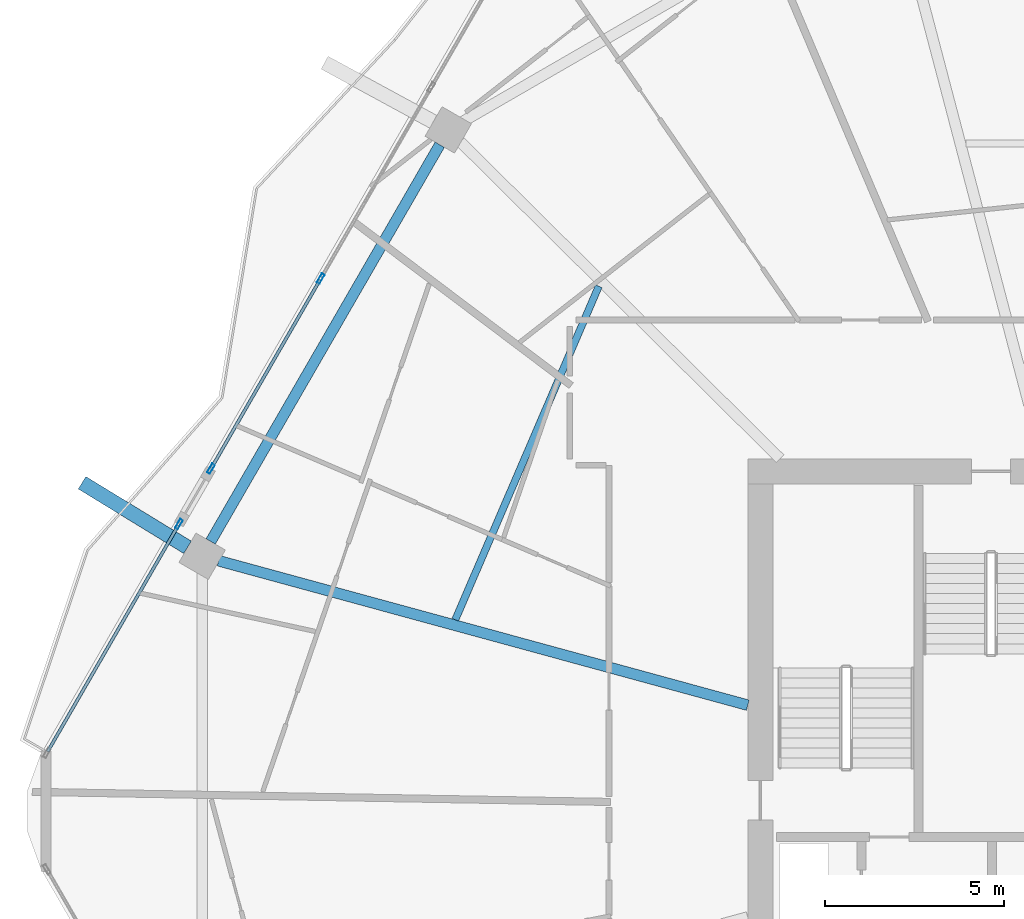
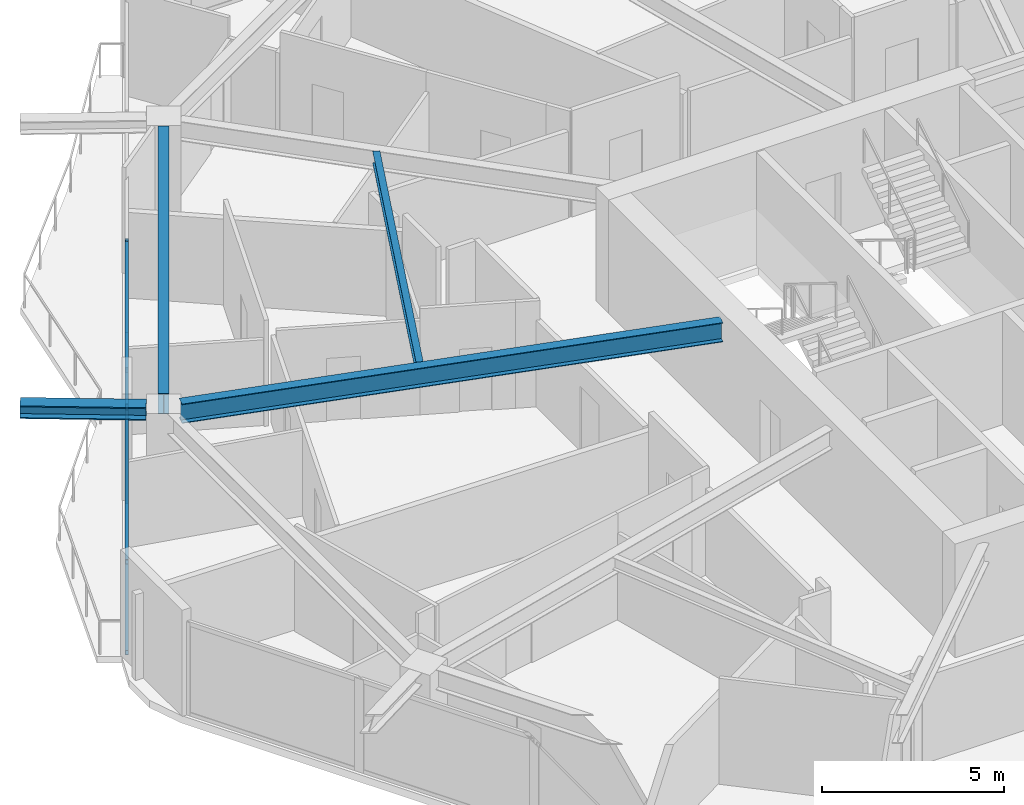
# One storey, part 10 of 26: 7 members, 4 beams, 2 elements without a shape of their own.
"""IFC4 building model written with IfcOpenShell, lengths in metres."""

import ifcopenshell
import ifcopenshell.guid

model = None  # the IFC model being written
_history = None  # IfcOwnerHistory: only IFC2X3 demands one
_inside = {}  # id of a spatial element -> (the spatial element, [elements in it])
_under = {}  # id of a project, library or spatial element -> (it, [spatial elements below it])
_declared = {}  # id of a project -> (the project, [libraries it declares])
_typed = {}  # id of a type object -> (the type object, [elements of that type])
_made_of = {}  # id of a material, layer set ... -> (it, [elements and type objects made of it])


def new_model(schema):
    """Start an empty IFC model of exactly this schema.

    Asked for "IFC4X3", IfcOpenShell would pick the latest addendum, in which some entities
    have other attributes; the version numbers below select the first issue.
    IFC2X3 requires an IfcOwnerHistory on every rooted entity: one is made here for all.
    """
    global model, _history
    if schema == "IFC4X3":
        model = ifcopenshell.file(schema_version=(4, 3, 0, 0))
    else:
        model = ifcopenshell.file(schema=schema)
    _inside.clear()
    _under.clear()
    _declared.clear()
    _typed.clear()
    _made_of.clear()
    _history = None
    if model.schema == "IFC2X3":
        org = make("IfcOrganization", Name="unknown")
        user = make(
            "IfcPersonAndOrganization",
            ThePerson=make("IfcPerson", FamilyName="unknown"),
            TheOrganization=org,
        )
        app = make(
            "IfcApplication",
            ApplicationDeveloper=org,
            Version="unknown",
            ApplicationFullName="unknown",
            ApplicationIdentifier="unknown",
        )
        _history = make(
            "IfcOwnerHistory",
            OwningUser=user,
            OwningApplication=app,
            ChangeAction="ADDED",
            CreationDate=0,
        )
    return model


def make(cls, **values):
    """One entity of the class cls with the attributes given. An attribute that is None is left unset."""
    return model.create_entity(
        cls, **{name: value for name, value in values.items() if value is not None}
    )


def rooted(cls, **values):
    """An entity with a GlobalId (a new one), such as an element, a storey or a relation."""
    return make(cls, GlobalId=ifcopenshell.guid.new(), OwnerHistory=_history, **values)


def si_unit(unit_type, name, prefix=None):
    """IfcSIUnit, for example si_unit("LENGTHUNIT", "METRE", prefix="MILLI")."""
    return make("IfcSIUnit", UnitType=unit_type, Prefix=prefix, Name=name)


def assignment(units):
    """IfcUnitAssignment: the units of a project."""
    return None if units is None else make("IfcUnitAssignment", Units=units)


def point(xyz):
    """IfcCartesianPoint."""
    return None if xyz is None else make("IfcCartesianPoint", Coordinates=xyz)


def direction(xyz):
    """IfcDirection."""
    return None if xyz is None else make("IfcDirection", DirectionRatios=xyz)


def frame(location, z_axis=None, x_axis=None):
    """IfcAxis2Placement3D, a coordinate frame: its origin and axes. An axis left out is left unset."""
    return make(
        "IfcAxis2Placement3D",
        Location=point(location),
        Axis=direction(z_axis),
        RefDirection=direction(x_axis),
    )


def frame_2d(location, x_axis=None):
    """IfcAxis2Placement2D, a coordinate frame in the plane: its origin and x axis."""
    return make(
        "IfcAxis2Placement2D", Location=point(location), RefDirection=direction(x_axis)
    )


def origin():
    """The frame at (0, 0, 0) with its axes left unset."""
    return frame((0.0, 0.0, 0.0))


def origin_2d():
    """The frame at (0, 0) in the plane with its x axis left unset."""
    return frame_2d((0.0, 0.0))


def place(relative_to, where):
    """IfcLocalPlacement: puts the frame where relative to a parent placement (None: the world)."""
    return make(
        "IfcLocalPlacement", PlacementRelTo=relative_to, RelativePlacement=where
    )


def context(
    kind, dimensions, precision=None, world=None, true_north=None, identifier=None
):
    """IfcGeometricRepresentationContext, for example the 3D "Model" context."""
    return make(
        "IfcGeometricRepresentationContext",
        ContextIdentifier=identifier,
        ContextType=kind,
        CoordinateSpaceDimension=dimensions,
        Precision=precision,
        WorldCoordinateSystem=world,
        TrueNorth=true_north,
    )


def subcontext(parent, identifier, kind, view, scale=None):
    """IfcGeometricRepresentationSubContext, for example "Body" below "Model"."""
    return make(
        "IfcGeometricRepresentationSubContext",
        ContextIdentifier=identifier,
        ContextType=kind,
        ParentContext=parent,
        TargetScale=scale,
        TargetView=view,
    )


def project(units=None, contexts=None):
    """IfcProject with its units and contexts."""
    return rooted(
        "IfcProject",
        Name="project",
        RepresentationContexts=contexts,
        UnitsInContext=assignment(units),
    )


def spatial(cls, under=None, at=None, **own):
    """A site, building, storey or space (cls), placed at a placement, below another one or the project."""
    s = rooted(cls, ObjectPlacement=at, **own)
    if under is not None:
        _under.setdefault(under.id(), (under, []))[1].append(s)
    return s


def profile(cls, at=None, kind="AREA", **sizes):
    """A parametric profile (cls). Its sizes go by their IFC names, for example OverallWidth=200.0."""
    return make(cls, ProfileType=kind, Position=at, **sizes)


def hollow_rectangle(**sizes):
    """IfcRectangleHollowProfileDef."""
    return profile("IfcRectangleHollowProfileDef", **sizes)


def i_section(**sizes):
    """IfcIShapeProfileDef."""
    return profile("IfcIShapeProfileDef", **sizes)


def extrude(swept, where, along, depth):
    """IfcExtrudedAreaSolid: the profile swept, set in the frame where, extruded along a direction by depth."""
    return make(
        "IfcExtrudedAreaSolid",
        SweptArea=swept,
        Position=where,
        ExtrudedDirection=direction(along),
        Depth=depth,
    )


def shape(context_of_items, identifier, shape_type, items):
    """IfcShapeRepresentation: the items that make up one representation, for example the "Body"."""
    return make(
        "IfcShapeRepresentation",
        ContextOfItems=context_of_items,
        RepresentationIdentifier=identifier,
        RepresentationType=shape_type,
        Items=items,
    )


def material(Name=None, Category=None):
    """IfcMaterial."""
    return make("IfcMaterial", Name=Name, Category=Category)


def material_profile(
    of_material, cross_section, Name=None, Category=None, Priority=None
):
    """IfcMaterialProfile: a cross section and its material."""
    return make(
        "IfcMaterialProfile",
        Name=Name,
        Material=of_material,
        Profile=cross_section,
        Priority=Priority,
        Category=Category,
    )


def profile_set(profiles, Name=None, composite=None):
    """IfcMaterialProfileSet."""
    return make(
        "IfcMaterialProfileSet",
        Name=Name,
        MaterialProfiles=profiles,
        CompositeProfile=composite,
    )


def made_of(thing, what):
    """Note that an element or type object is made of a material, layer set ...; save() writes the relation."""
    if what is not None:
        _made_of.setdefault(what.id(), (what, []))[1].append(thing)
    return thing


def type_object(cls, material=None, **own):
    """A type object (cls), such as IfcWallType, which elements share."""
    return made_of(rooted(cls, **own), material)


def element(
    cls,
    number,
    at=None,
    inside=None,
    cuts=None,
    type_object=None,
    material=None,
    context=None,
    identifier="Body",
    shape_type=None,
    held_by="IfcProductDefinitionShape",
    body=None,
    shapes=None,
    **own,
):
    """One element of the class cls, such as IfcWall. Its Tag is "e" and its number.

    at: its placement. inside: the storey or other place that contains it. cuts: it is an
    opening in that element (IfcRelVoidsElement). A single representation is given by context,
    identifier, shape_type and body (its items); several are given by shapes. held_by: the class
    of the entity that holds the representations. save() writes the other relations.
    """
    e = rooted(cls, Tag="e%d" % number, ObjectPlacement=at, **own)
    if body is not None:
        shapes = [shape(context, identifier, shape_type, body)]
    if shapes is not None:
        e.Representation = make(held_by, Representations=shapes)
    if inside is not None:
        _inside.setdefault(inside.id(), (inside, []))[1].append(e)
    if cuts is not None:
        rooted(
            "IfcRelVoidsElement", RelatingBuildingElement=cuts, RelatedOpeningElement=e
        )
    if type_object is not None:
        _typed.setdefault(type_object.id(), (type_object, []))[1].append(e)
    return made_of(e, material)


def aggregate(whole, parts):
    """IfcRelAggregates: a whole, such as a stair, and the parts it consists of."""
    return rooted("IfcRelAggregates", RelatingObject=whole, RelatedObjects=parts)


def save(model, path):
    """Write the relations noted so far, then the file.

    IfcRelAggregates (storeys below a building ...), IfcRelContainedInSpatialStructure (elements
    in a storey), IfcRelDefinesByType, IfcRelAssociatesMaterial and IfcRelDeclares: one each for
    every whole, place, type object, material and project.
    """
    for whole, parts in _under.values():
        aggregate(whole, parts)
    for where, things in _inside.values():
        rooted(
            "IfcRelContainedInSpatialStructure",
            RelatedElements=things,
            RelatingStructure=where,
        )
    for kind, things in _typed.values():
        rooted("IfcRelDefinesByType", RelatedObjects=things, RelatingType=kind)
    for what, things in _made_of.values():
        rooted("IfcRelAssociatesMaterial", RelatedObjects=things, RelatingMaterial=what)
    for by, libraries in _declared.values():
        rooted("IfcRelDeclares", RelatingContext=by, RelatedDefinitions=libraries)
    model.write(path)


model = new_model("IFC4")

# Units and contexts
model_context = context("Model", 3, precision=1e-05, world=origin(), true_north=direction((0.0, 1.0)))
body_context = subcontext(model_context, "Body", "Model", "MODEL_VIEW")
ifc_project = project(units=[si_unit("LENGTHUNIT", "METRE"), si_unit("AREAUNIT", "SQUARE_METRE"), si_unit("VOLUMEUNIT", "CUBIC_METRE"), si_unit("PLANEANGLEUNIT", "RADIAN"), si_unit("MASSUNIT", "GRAM", prefix="KILO")], contexts=[model_context])

# Site, building, storey
site_placement = place(None, origin())
site = spatial("IfcSite", under=ifc_project, at=site_placement, CompositionType="ELEMENT")
building_placement = place(site_placement, origin())
building = spatial("IfcBuilding", under=site, at=building_placement, Name="Zuhravey Tower", CompositionType="ELEMENT")
storey_placement = place(building_placement, frame((0.0, 0.0, 211.199951171875)))
storey = spatial("IfcBuildingStorey", under=building, at=storey_placement, Name="L53", CompositionType="ELEMENT", Elevation=211.199951171875)

# Curtain wall, member
ifc_material_1 = material(Name="Thermally broken anodised aluminium", Category="aluminium")
curtain_wall_type = type_object("IfcCurtainWallType", Name="Zone 1-2 Residential Curtain Wall CW3", PredefinedType="NOTDEFINED", material=ifc_material_1)
curtain_wall_1_placement = place(storey_placement, origin())
curtain_wall_1 = element("IfcCurtainWall", 1, at=curtain_wall_1_placement, inside=storey, type_object=curtain_wall_type, Name="L53 CW3 CW-L53-F3-1", PredefinedType="NOTDEFINED")
ifc_material_2 = material(Name="Anodised aluminium", Category="aluminium")
ifc_material_profile_1 = material_profile(ifc_material_2, hollow_rectangle(XDim=0.090087890625, YDim=0.284912109375, WallThickness=0.0048828125, at=origin_2d()), Name="ALU-RHS-90x285x5")
ifc_profile_set_1 = profile_set([ifc_material_profile_1], Name="Anodised aluminium")
member_type_1 = type_object("IfcMemberType", Name="Curtain-Wall Mullion 90x180", PredefinedType="MULLION", material=ifc_profile_set_1)
member_1_placement = place(storey_placement, frame((9.244384765625, 40.024169921875, 0.0), z_axis=(0.0, 0.0, 1.0), x_axis=(-0.866022342618, 0.500005302059, 0.0)))
member_1 = element("IfcMember", 2, at=member_1_placement, type_object=member_type_1, Name="CW3 mullion 2", PredefinedType="MULLION", context=body_context, shape_type="SweptSolid", body=[
    extrude(hollow_rectangle(XDim=0.090087890625, YDim=0.284912109375, WallThickness=0.0048828125, at=origin_2d()), origin(), (0.0, 0.0, 1.0), 3.1220703125),
])

# Curtain wall, members
curtain_wall_2_placement = place(storey_placement, origin())
curtain_wall_2 = element("IfcCurtainWall", 3, at=curtain_wall_2_placement, inside=storey, type_object=curtain_wall_type, Name="L53 CW3 CW-L53-F3-2", PredefinedType="NOTDEFINED")
member_2_placement = place(storey_placement, frame((10.139404296875, 41.574462890625, 0.0), z_axis=(0.0, 0.0, 1.0), x_axis=(-0.866026823283, 0.499997541348, 0.0)))
member_2 = element("IfcMember", 4, at=member_2_placement, type_object=member_type_1, Name="CW3 mullion 1", PredefinedType="MULLION", context=body_context, shape_type="SweptSolid", body=[
    extrude(hollow_rectangle(XDim=0.090087890625, YDim=0.284912109375, WallThickness=0.0048828125, at=origin_2d()), origin(), (0.0, 0.0, 1.0), 3.1220703125),
])
member_3_placement = place(storey_placement, frame((13.207763671875, 46.888916015625, 0.0), z_axis=(0.0, 0.0, 1.0), x_axis=(-0.866026823283, 0.499997541348, 0.0)))
member_3 = element("IfcMember", 5, at=member_3_placement, type_object=member_type_1, Name="CW3 mullion 2", PredefinedType="MULLION", context=body_context, shape_type="SweptSolid", body=[
    extrude(hollow_rectangle(XDim=0.090087890625, YDim=0.284912109375, WallThickness=0.0048828125, at=origin_2d()), origin(), (0.0, 0.0, 1.0), 3.1220703125),
])

# Member
ifc_material_profile_2 = material_profile(ifc_material_2, hollow_rectangle(XDim=0.090087890625, YDim=0.14990234375, WallThickness=0.0048828125, at=origin_2d()), Name="ALU-RHS-90x150x5")
ifc_profile_set_2 = profile_set([ifc_material_profile_2], Name="Anodised aluminium")
member_type_2 = type_object("IfcMemberType", Name="Curtain-Wall Transom 90x150", PredefinedType="USERDEFINED", material=ifc_profile_set_2)
member_4_placement = place(storey_placement, frame((5.5732421875, 33.66552734375, 0.045166015625), z_axis=(0.499992746786, 0.866029591389, 0.0), x_axis=(-0.866029591389, 0.499992746786, 0.0)))
member_4 = element("IfcMember", 6, at=member_4_placement, type_object=member_type_2, Name="CW3 transom 1.1", ObjectType="TRANSOM", PredefinedType="USERDEFINED", context=body_context, shape_type="SweptSolid", body=[
    extrude(hollow_rectangle(XDim=0.090087890625, YDim=0.14990234375, WallThickness=0.0048828125, at=origin_2d()), origin(), (0.0, 0.0, 1.0), 7.29736328125),
])

member_5_placement = place(storey_placement, frame((5.5732421875, 33.66552734375, 3.0771484375), z_axis=(0.499992746786, 0.866029591389, 0.0), x_axis=(-0.866029591389, 0.499992746786, 0.0)))
member_5 = element("IfcMember", 7, at=member_5_placement, type_object=member_type_2, Name="CW3 transom 1.2", ObjectType="TRANSOM", PredefinedType="USERDEFINED", context=body_context, shape_type="SweptSolid", body=[
    extrude(hollow_rectangle(XDim=0.090087890625, YDim=0.14990234375, WallThickness=0.0048828125, at=origin_2d()), origin(), (0.0, 0.0, 1.0), 7.29736328125),
])

aggregate(curtain_wall_1, [member_1, member_4, member_5])

member_6_placement = place(storey_placement, frame((10.162109375, 41.61328125, 0.045166015625), z_axis=(0.499982256727, 0.866035647625, 0.0), x_axis=(-0.866035647625, 0.499982256727, 0.0)))
member_6 = element("IfcMember", 8, at=member_6_placement, type_object=member_type_2, Name="CW3 transom 1.1", ObjectType="TRANSOM", PredefinedType="USERDEFINED", context=body_context, shape_type="SweptSolid", body=[
    extrude(hollow_rectangle(XDim=0.090087890625, YDim=0.14990234375, WallThickness=0.0048828125, at=origin_2d()), origin(), (0.0, 0.0, 1.0), 6.046630859375),
])

member_7_placement = place(storey_placement, frame((10.162109375, 41.61328125, 3.0771484375), z_axis=(0.499982256727, 0.866035647625, 0.0), x_axis=(-0.866035647625, 0.499982256727, 0.0)))
member_7 = element("IfcMember", 9, at=member_7_placement, type_object=member_type_2, Name="CW3 transom 1.2", ObjectType="TRANSOM", PredefinedType="USERDEFINED", context=body_context, shape_type="SweptSolid", body=[
    extrude(hollow_rectangle(XDim=0.090087890625, YDim=0.14990234375, WallThickness=0.0048828125, at=origin_2d()), origin(), (0.0, 0.0, 1.0), 6.046630859375),
])

aggregate(curtain_wall_2, [member_2, member_3, member_6, member_7])

# Beams
ifc_material_3 = material(Name="Steel SM460", Category="steel")
ifc_material_profile_3 = material_profile(ifc_material_3, i_section(OverallWidth=0.406982421875, OverallDepth=0.427978515625, WebThickness=0.02001953125, FlangeThickness=0.034912109375, at=origin_2d()), Name="H-428x407x20x35")
ifc_profile_set_3 = profile_set([ifc_material_profile_3], Name="Steel SM460")
beam_type_1 = type_object("IfcBeamType", Name="Exoskeleton Node Tie Beam H428x407", PredefinedType="BEAM", material=ifc_profile_set_3)
beam_1_placement = place(storey_placement, frame((9.483642578125, 39.376708984375, 3.3359375), z_axis=(-0.852967452367, 0.521964103365, 0.0), x_axis=(-0.521964103365, -0.852967452367, 0.0)))
element("IfcBeam", 10, at=beam_1_placement, inside=storey, type_object=beam_type_1, Name="L53 Exoskeleton Node Tie NT1-06", PredefinedType="BEAM", context=body_context, shape_type="SweptSolid", body=[
    extrude(i_section(OverallWidth=0.406982421875, OverallDepth=0.427978515625, WebThickness=0.02001953125, FlangeThickness=0.034912109375, at=origin_2d()), origin(), (0.0, 0.0, 1.0), 3.45703125),
])
ifc_material_4 = material(Name="Steel SM355", Category="steel")
ifc_material_profile_4 = material_profile(ifc_material_4, i_section(OverallWidth=0.300048828125, OverallDepth=0.679931640625, WebThickness=0.012939453125, FlangeThickness=0.02197265625, at=origin_2d()), Name="H-680x300x13x22")
ifc_profile_set_4 = profile_set([ifc_material_profile_4], Name="Steel SM355")
beam_type_2 = type_object("IfcBeamType", Name="Perimeter Ring Beam H680x300", PredefinedType="BEAM", material=ifc_profile_set_4)
beam_2_placement = place(storey_placement, frame((16.535400390625, 50.632568359375, 3.2099609375), z_axis=(-0.500003505699, -0.866023379758, 0.0), x_axis=(0.866023379758, -0.500003505699, 0.0)))
element("IfcBeam", 11, at=beam_2_placement, inside=storey, type_object=beam_type_2, Name="L53 PB2 BM-L53-PB-05", PredefinedType="BEAM", context=body_context, shape_type="SweptSolid", body=[
    extrude(i_section(OverallWidth=0.300048828125, OverallDepth=0.679931640625, WebThickness=0.012939453125, FlangeThickness=0.02197265625, at=origin_2d()), origin(), (0.0, 0.0, 1.0), 12.80810546875),
])
ifc_material_profile_5 = material_profile(ifc_material_4, i_section(OverallWidth=0.300048828125, OverallDepth=0.64990234375, WebThickness=0.012939453125, FlangeThickness=0.02197265625, at=origin_2d()), Name="H-650x300x13x22")
ifc_profile_set_5 = profile_set([ifc_material_profile_5], Name="Steel SM355")
beam_type_3 = type_object("IfcBeamType", Name="Radial Primary Girder H650x300", PredefinedType="BEAM", material=ifc_profile_set_5)
beam_3_placement = place(storey_placement, frame((25.14697265625, 34.96240234375, 3.22509765625), z_axis=(-0.964701703464, 0.263345065139, 0.0), x_axis=(-0.263345065139, -0.964701703464, 0.0)))
element("IfcBeam", 12, at=beam_3_placement, inside=storey, type_object=beam_type_3, Name="L53 RG2 BM-L53-RAD-06", PredefinedType="BEAM", context=body_context, shape_type="SweptSolid", body=[
    extrude(i_section(OverallWidth=0.300048828125, OverallDepth=0.64990234375, WebThickness=0.012939453125, FlangeThickness=0.02197265625, at=origin_2d()), origin(), (0.0, 0.0, 1.0), 15.334716796875),
])
ifc_material_profile_6 = material_profile(ifc_material_4, i_section(OverallWidth=0.199951171875, OverallDepth=0.39990234375, WebThickness=0.008056640625, FlangeThickness=0.012939453125, at=origin_2d()), Name="H-400x200x8x13")
ifc_profile_set_6 = profile_set([ifc_material_profile_6], Name="Steel SM355")
beam_type_4 = type_object("IfcBeamType", Name="Secondary Floor Joist H400x200", PredefinedType="JOIST", material=ifc_profile_set_6)
beam_4_placement = place(storey_placement, frame((20.982421875, 46.676025390625, 3.35009765625), z_axis=(-0.395265853487, -0.918566766799, 0.0), x_axis=(0.918566766799, -0.395265853487, 0.0)))
element("IfcBeam", 13, at=beam_4_placement, inside=storey, type_object=beam_type_4, Name="L53 SJ2 BM-L53-SJ-05-1", PredefinedType="JOIST", context=body_context, shape_type="SweptSolid", body=[
    extrude(i_section(OverallWidth=0.199951171875, OverallDepth=0.39990234375, WebThickness=0.008056640625, FlangeThickness=0.012939453125, at=origin_2d()), origin(), (0.0, 0.0, 1.0), 10.150146484375),
])

save(model, "model.ifc")
